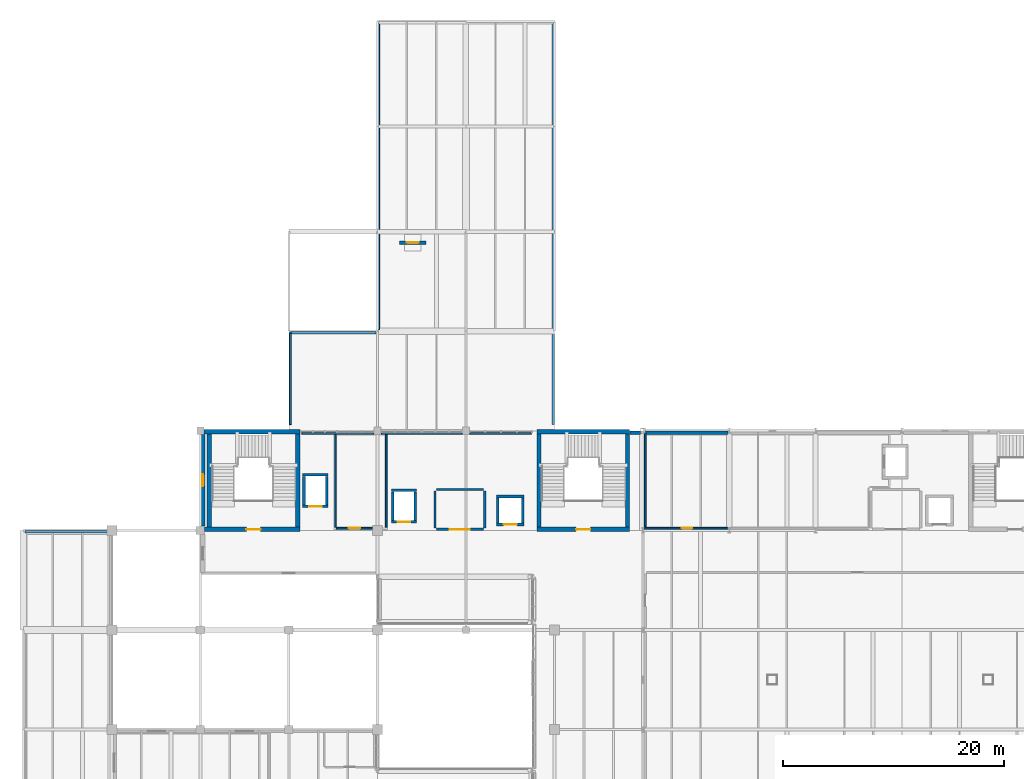
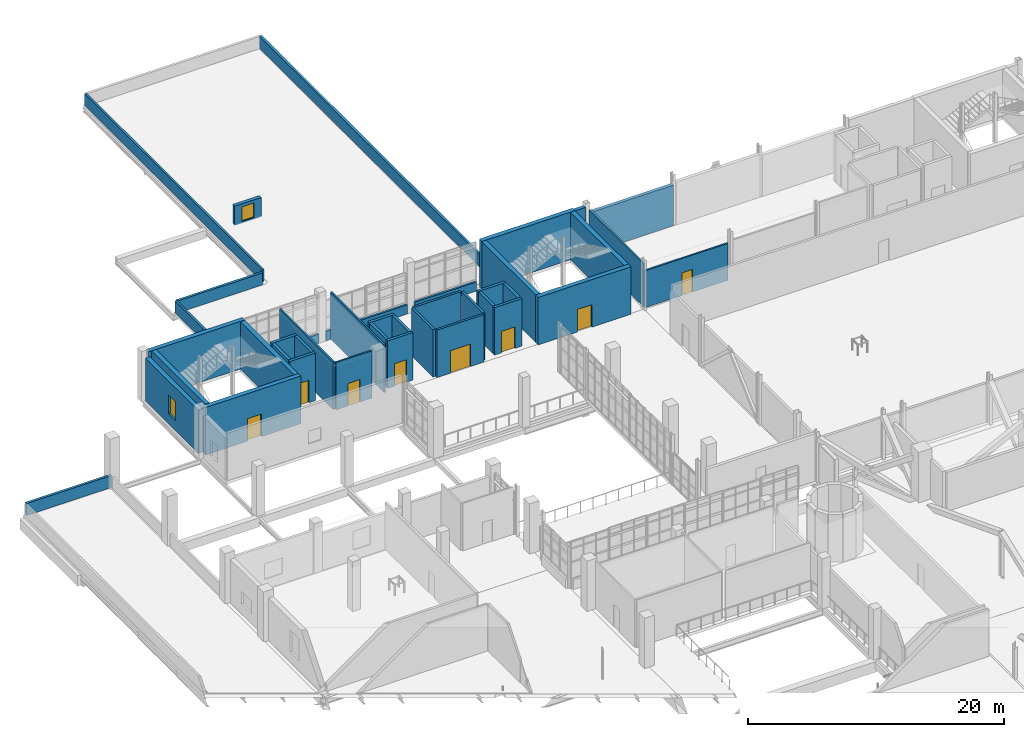
# One storey, part 115 of 127: 41 walls, 9 doors, 1 window, 10 openings.
"""IFC4 building model written with IfcOpenShell, lengths in metres."""

from ifc_helpers import new_model, si_unit, derived_unit, direction, frame, frame_2d, origin, place, context, subcontext, project, spatial, rectangle, extrude, material, layer, layer_set, type_object, element, fill, save


model = new_model("IFC4")

# Units and contexts
model_context = context("Model", 3, precision=1e-05, world=origin(), true_north=direction((0.0, 1.0)))
body_context = subcontext(model_context, "Body", "Model", "MODEL_VIEW")
ifc_project = project(units=[si_unit("LENGTHUNIT", "METRE"), si_unit("AREAUNIT", "SQUARE_METRE"), si_unit("VOLUMEUNIT", "CUBIC_METRE"), si_unit("PLANEANGLEUNIT", "RADIAN"), si_unit("MASSUNIT", "GRAM", prefix="KILO"), derived_unit("THERMALTRANSMITTANCEUNIT", [(si_unit("POWERUNIT", "WATT"), 1), (si_unit("LENGTHUNIT", "METRE"), -2), (si_unit("THERMODYNAMICTEMPERATUREUNIT", "KELVIN"), -1)])], contexts=[model_context])

# Site, building, storey
site_placement = place(None, origin())
site = spatial("IfcSite", under=ifc_project, at=site_placement, CompositionType="ELEMENT")
building_placement = place(site_placement, origin())
building = spatial("IfcBuilding", under=site, at=building_placement, Name="Nallur Shell Playhouse", CompositionType="ELEMENT")
storey_placement = place(building_placement, frame((0.0, 0.0, 5.39990234375)))
storey = spatial("IfcBuildingStorey", under=building, at=storey_placement, Name="L02", CompositionType="ELEMENT", Elevation=5.39990234375)

# Wall, opening, door
ifc_material_1 = material(Name="Concrete M45", Category="concrete")
ifc_layer_1 = layer(ifc_material_1, 0.39990234375)
ifc_layer_set_1 = layer_set([ifc_layer_1], Name="Concrete M45")
wall_type_1 = type_object("IfcWallType", Name="WL-CORE-400", PredefinedType="SHEAR", material=ifc_layer_set_1)
wall_1_placement = place(storey_placement, frame((54.39990234375, 74.10009765625, 0.0), z_axis=(0.0, 0.0, 1.0), x_axis=(1.0, 0.0, 0.0)))
wall_1 = element("IfcWall", 1, at=wall_1_placement, inside=storey, type_object=wall_type_1, Name="Joint Core JC-3 shear wall S (L02)", PredefinedType="SHEAR", context=body_context, shape_type="SweptSolid", body=[
    extrude(rectangle(XDim=8.400146484375, YDim=0.39990234375, at=frame_2d((4.2001953125, 0.0))), origin(), (0.0, 0.0, 1.0), 4.5400390625),
])
opening_1_placement = place(wall_1_placement, frame((3.550048828125, 0.0, 0.0)))
opening_1 = element("IfcOpeningElement", 2, at=opening_1_placement, cuts=wall_1, Name="Opening FD-ST1", PredefinedType="OPENING", context=body_context, shape_type="SweptSolid", body=[
    extrude(rectangle(XDim=1.300048828125, YDim=2.14990234375, at=frame_2d((0.64990234375, 1.074951171875))), frame((0.0, 0.2099609375, 0.0), z_axis=(0.0, -1.0, 0.0), x_axis=(1.0, 0.0, 0.0)), (0.0, 0.0, 1.0), 0.419921875),
])
ifc_material_2 = material(Name="Galvanised Steel Fire-Rated Stair Door", Category="steel")
door_type_1 = type_object("IfcDoorType", Name="DR-INT-STAIR-L", OperationType="SINGLE_SWING_LEFT", PredefinedType="DOOR", material=ifc_material_2)
door_1_placement = place(opening_1_placement, origin())
door_1 = element("IfcDoor", 3, at=door_1_placement, inside=storey, type_object=door_type_1, Name="Exit stair ST-03 fire door (L02)", OperationType="SINGLE_SWING_LEFT", OverallHeight=2.14990234375, OverallWidth=1.300048828125, PredefinedType="DOOR", context=body_context, shape_type="SweptSolid", body=[
    extrude(rectangle(XDim=1.300048828125, YDim=2.14990234375, at=frame_2d((0.64990234375, 1.074951171875))), frame((0.0, 0.02490234375, 0.0), z_axis=(0.0, -1.0, 0.0), x_axis=(1.0, 0.0, 0.0)), (0.0, 0.0, 1.0), 0.050048828125),
])
fill(opening_1, door_1)

# Walls
wall_2_placement = place(storey_placement, frame((62.800048828125, 82.89990234375, 0.0), z_axis=(0.0, 0.0, 1.0), x_axis=(-1.0, 0.0, 0.0)))
element("IfcWall", 4, at=wall_2_placement, inside=storey, type_object=wall_type_1, Name="Joint Core JC-3 shear wall N (L02)", PredefinedType="SHEAR", context=body_context, shape_type="SweptSolid", body=[
    extrude(rectangle(XDim=8.400146484375, YDim=0.39990234375, at=frame_2d((4.2001953125, 0.0))), origin(), (0.0, 0.0, 1.0), 4.5400390625),
])
for number, where, z_axis, x_axis, name in (
    (5, (62.60009765625, 74.31005859375, 0.0), (0.0, 0.0, 1.0), (0.0, 1.0, 0.0), "Joint Core JC-3 shear wall E (L02)"),
    (6, (54.60009765625, 82.68994140625, 0.0), (0.0, 0.0, 1.0), (0.0, -1.0, 0.0), "Joint Core JC-3 shear wall W (L02)"),
):
    element("IfcWall", number, at=place(storey_placement, frame(where, z_axis=z_axis, x_axis=x_axis)), inside=storey, type_object=wall_type_1, Name=name, PredefinedType="SHEAR", context=body_context, shape_type="SweptSolid", body=[
        extrude(rectangle(XDim=8.3798828125, YDim=0.39990234375, at=frame_2d((4.18994140625, 0.0))), origin(), (0.0, 0.0, 1.0), 4.5400390625),
    ])

# Wall, opening, door
wall_3_placement = place(storey_placement, frame((24.3740234375, 74.10009765625, 0.0), z_axis=(0.0, 0.0, 1.0), x_axis=(1.0, 0.0, 0.0)))
wall_3 = element("IfcWall", 7, at=wall_3_placement, inside=storey, type_object=wall_type_1, Name="Joint Core JC-6 shear wall S (L02)", PredefinedType="SHEAR", context=body_context, shape_type="SweptSolid", body=[
    extrude(rectangle(XDim=8.6259765625, YDim=0.39990234375, at=frame_2d((4.31298828125, 0.0))), origin(), (0.0, 0.0, 1.0), 4.5400390625),
])
opening_2_placement = place(wall_3_placement, frame((3.77587890625, 0.0, 0.0)))
opening_2 = element("IfcOpeningElement", 8, at=opening_2_placement, cuts=wall_3, Name="Opening FD-ST2", PredefinedType="OPENING", context=body_context, shape_type="SweptSolid", body=[
    extrude(rectangle(XDim=1.300048828125, YDim=2.14990234375, at=frame_2d((0.64990234375, 1.074951171875))), frame((0.0, 0.2099609375, 0.0), z_axis=(0.0, -1.0, 0.0), x_axis=(1.0, 0.0, 0.0)), (0.0, 0.0, 1.0), 0.419921875),
])
door_type_2 = type_object("IfcDoorType", Name="DR-INT-STAIR-R", OperationType="SINGLE_SWING_RIGHT", PredefinedType="DOOR", material=ifc_material_2)
door_2_placement = place(opening_2_placement, origin())
door_2 = element("IfcDoor", 9, at=door_2_placement, inside=storey, type_object=door_type_2, Name="Exit stair ST-06 fire door (L02)", OperationType="SINGLE_SWING_RIGHT", OverallHeight=2.14990234375, OverallWidth=1.300048828125, PredefinedType="DOOR", context=body_context, shape_type="SweptSolid", body=[
    extrude(rectangle(XDim=1.300048828125, YDim=2.14990234375, at=frame_2d((0.64990234375, 1.074951171875))), frame((0.0, 0.02490234375, 0.0), z_axis=(0.0, -1.0, 0.0), x_axis=(1.0, 0.0, 0.0)), (0.0, 0.0, 1.0), 0.050048828125),
])
fill(opening_2, door_2)

# Walls
wall_4_placement = place(storey_placement, frame((33.0, 82.89990234375, 0.0), z_axis=(0.0, 0.0, 1.0), x_axis=(-1.0, 0.0, 0.0)))
element("IfcWall", 10, at=wall_4_placement, inside=storey, type_object=wall_type_1, Name="Joint Core JC-6 shear wall N (L02)", PredefinedType="SHEAR", context=body_context, shape_type="SweptSolid", body=[
    extrude(rectangle(XDim=8.676025390625, YDim=0.39990234375, at=frame_2d((4.337890625, 0.0))), origin(), (0.0, 0.0, 1.0), 4.5400390625),
])
for number, where, z_axis, x_axis, name in (
    (11, (32.800048828125, 74.31005859375, 0.0), (0.0, 0.0, 1.0), (0.0, 1.0, 0.0), "Joint Core JC-6 shear wall E (L02)"),
    (12, (24.800048828125, 82.68994140625, 0.0), (0.0, 0.0, 1.0), (0.0, -1.0, 0.0), "Joint Core JC-6 shear wall W (L02)"),
):
    element("IfcWall", number, at=place(storey_placement, frame(where, z_axis=z_axis, x_axis=x_axis)), inside=storey, type_object=wall_type_1, Name=name, PredefinedType="SHEAR", context=body_context, shape_type="SweptSolid", body=[
        extrude(rectangle(XDim=8.3798828125, YDim=0.39990234375, at=frame_2d((4.18994140625, 0.0))), origin(), (0.0, 0.0, 1.0), 4.5400390625),
    ])
ifc_material_3 = material(Name="Concrete M35", Category="concrete")
ifc_layer_2 = layer(ifc_material_3, 0.300048828125)
ifc_layer_set_2 = layer_set([ifc_layer_2], Name="Concrete M35")
wall_type_2 = type_object("IfcWallType", Name="WL-EXT-RC300", PredefinedType="STANDARD", material=ifc_layer_set_2)
wall_5_placement = place(storey_placement, frame((62.803955078125, 82.830078125, 0.0), z_axis=(0.0, 0.0, 1.0), x_axis=(1.0, 0.0, 0.0)))
element("IfcWall", 13, at=wall_5_placement, inside=storey, type_object=wall_type_2, Name="L02 exterior wall EW-L02-091", PredefinedType="STANDARD", context=body_context, shape_type="SweptSolid", body=[
    extrude(rectangle(XDim=0.963134765625, YDim=0.300048828125, at=frame_2d((0.4814453125, 0.0))), origin(), (0.0, 0.0, 1.0), 4.5400390625),
])
wall_6_placement = place(storey_placement, frame((64.23291015625, 82.830078125, 0.0), z_axis=(0.0, 0.0, 1.0), x_axis=(1.0, 0.0, 0.0)))
element("IfcWall", 14, at=wall_6_placement, inside=storey, type_object=wall_type_2, Name="L02 exterior wall EW-L02-092", PredefinedType="STANDARD", context=body_context, shape_type="SweptSolid", body=[
    extrude(rectangle(XDim=7.43408203125, YDim=0.300048828125, at=frame_2d((3.717041015625, 0.0))), origin(), (0.0, 0.0, 1.0), 3.875),
])

# Wall, opening, door
wall_7_placement = place(storey_placement, frame((42.0, 100.0, 0.0), z_axis=(0.0, 0.0, 1.0), x_axis=(1.0, 0.0, 0.0)))
wall_7 = element("IfcWall", 15, at=wall_7_placement, inside=storey, type_object=wall_type_2, Name="L02 roof access hatch bulkhead wall 01", PredefinedType="STANDARD", context=body_context, shape_type="SweptSolid", body=[
    extrude(rectangle(XDim=2.39990234375, YDim=0.300048828125, at=frame_2d((1.199951171875, 0.0))), origin(), (0.0, 0.0, 1.0), 1.85009765625),
])
opening_3_placement = place(wall_7_placement, frame((0.64990234375, 0.0, 0.14990234375)))
opening_3 = element("IfcOpeningElement", 16, at=opening_3_placement, cuts=wall_7, Name="Opening RH-01", PredefinedType="OPENING", context=body_context, shape_type="SweptSolid", body=[
    extrude(rectangle(XDim=1.10009765625, YDim=1.39990234375, at=frame_2d((0.550048828125, 0.699951171875))), frame((0.0, 0.16015625, 0.0), z_axis=(0.0, -1.0, 0.0), x_axis=(1.0, 0.0, 0.0)), (0.0, 0.0, 1.0), 0.320068359375),
])
ifc_material_4 = material(Name="Insulated Weatherproof Roof Access Hatch Door")
door_type_3 = type_object("IfcDoorType", Name="DR-ROOF-HATCH", OperationType="SINGLE_SWING_LEFT", PredefinedType="TRAPDOOR", material=ifc_material_4)
door_3_placement = place(opening_3_placement, origin())
door_3 = element("IfcDoor", 17, at=door_3_placement, inside=storey, type_object=door_type_3, Name="Roof access trapdoor hatch RH-01", OperationType="SINGLE_SWING_LEFT", OverallHeight=1.39990234375, OverallWidth=1.10009765625, PredefinedType="TRAPDOOR", context=body_context, shape_type="SweptSolid", body=[
    extrude(rectangle(XDim=1.10009765625, YDim=1.39990234375, at=frame_2d((0.550048828125, 0.699951171875))), frame((0.0, 0.02490234375, 0.0), z_axis=(0.0, -1.0, 0.0), x_axis=(1.0, 0.0, 0.0)), (0.0, 0.0, 1.0), 0.050048828125),
])
fill(opening_3, door_3)

# Wall, opening, window
ifc_material_5 = material(Name="Concrete M40", Category="concrete")
ifc_layer_3 = layer(ifc_material_5, 0.39990234375)
ifc_layer_set_3 = layer_set([ifc_layer_3], Name="Concrete M40")
wall_type_3 = type_object("IfcWallType", Name="WL-EXT-RC400", PredefinedType="STANDARD", material=ifc_layer_set_3)
wall_8_placement = place(storey_placement, frame((24.219970703125, 74.383056640625, 0.0), z_axis=(0.0, 0.0, 1.0), x_axis=(0.0, 1.0, 0.0)))
wall_8 = element("IfcWall", 18, at=wall_8_placement, inside=storey, type_object=wall_type_3, Name="L02 exterior wall EW-L02-090", PredefinedType="STANDARD", context=body_context, shape_type="SweptSolid", body=[
    extrude(rectangle(XDim=8.283935546875, YDim=0.39990234375, at=frame_2d((4.14208984375, 0.0))), origin(), (0.0, 0.0, 1.0), 4.0751953125),
])
opening_4_placement = place(wall_8_placement, frame((3.592041015625, 0.0, 0.949951171875)))
opening_4 = element("IfcOpeningElement", 19, at=opening_4_placement, cuts=wall_8, Name="Opening WN-07", PredefinedType="OPENING", context=body_context, shape_type="SweptSolid", body=[
    extrude(rectangle(XDim=1.10009765625, YDim=1.800048828125, at=frame_2d((0.550048828125, 0.89990234375))), frame((0.0, 0.2099609375, 0.0), z_axis=(0.0, -1.0, 0.0), x_axis=(1.0, 0.0, 0.0)), (0.0, 0.0, 1.0), 0.419921875),
])
ifc_material_6 = material(Name="Thermally Broken Aluminium Acoustic Double-Glazed Window", Category="aluminium")
window_type = type_object("IfcWindowType", Name="WN-TYPE-07", PartitioningType="SINGLE_PANEL", PredefinedType="WINDOW", material=ifc_material_6)
window_placement = place(opening_4_placement, origin())
window = element("IfcWindow", 20, at=window_placement, inside=storey, type_object=window_type, Name="L02 facade module window 039", OverallHeight=1.800048828125, OverallWidth=1.10009765625, PartitioningType="SINGLE_PANEL", PredefinedType="WINDOW", context=body_context, shape_type="SweptSolid", body=[
    extrude(rectangle(XDim=1.10009765625, YDim=1.800048828125, at=frame_2d((0.550048828125, 0.89990234375))), frame((0.0, 0.030029296875, 0.0), z_axis=(0.0, -1.0, 0.0), x_axis=(1.0, 0.0, 0.0)), (0.0, 0.0, 1.0), 0.06005859375),
])
fill(opening_4, window)

# Walls
ifc_layer_4 = layer(ifc_material_3, 0.179931640625)
ifc_layer_set_4 = layer_set([ifc_layer_4], Name="Concrete M35")
wall_type_4 = type_object("IfcWallType", Name="WL-PARAPET-180", PredefinedType="PARAPET", material=ifc_layer_set_4)
wall_9_placement = place(storey_placement, frame((33.169921875, 82.760009765625, 0.0), z_axis=(0.0, 0.0, 1.0), x_axis=(1.0, 0.0, 0.0)))
element("IfcWall", 21, at=wall_9_placement, inside=storey, type_object=wall_type_4, Name="L02 curtain-wall internal spandrel upstand 010", PredefinedType="PARAPET", context=body_context, shape_type="SweptSolid", body=[
    extrude(rectangle(XDim=6.4951171875, YDim=0.179931640625, at=frame_2d((3.24755859375, 0.0))), origin(), (0.0, 0.0, 1.0), 0.880126953125),
])
wall_10_placement = place(storey_placement, frame((40.3349609375, 82.760009765625, 0.0), z_axis=(0.0, 0.0, 1.0), x_axis=(1.0, 0.0, 0.0)))
element("IfcWall", 22, at=wall_10_placement, inside=storey, type_object=wall_type_4, Name="L02 curtain-wall internal spandrel upstand 011", PredefinedType="PARAPET", context=body_context, shape_type="SweptSolid", body=[
    extrude(rectangle(XDim=7.330078125, YDim=0.179931640625, at=frame_2d((3.6650390625, 0.0))), origin(), (0.0, 0.0, 1.0), 0.880126953125),
])
wall_11_placement = place(storey_placement, frame((48.3349609375, 82.760009765625, 0.0), z_axis=(0.0, 0.0, 1.0), x_axis=(1.0, 0.0, 0.0)))
element("IfcWall", 23, at=wall_11_placement, inside=storey, type_object=wall_type_4, Name="L02 curtain-wall internal spandrel upstand 012", PredefinedType="PARAPET", context=body_context, shape_type="SweptSolid", body=[
    extrude(rectangle(XDim=5.544921875, YDim=0.179931640625, at=frame_2d((2.7724609375, 0.0))), origin(), (0.0, 0.0, 1.0), 0.880126953125),
])
wall_12_placement = place(storey_placement, frame((32.110107421875, 83.550048828125, 0.0), z_axis=(0.0, 0.0, 1.0), x_axis=(0.0, 1.0, 0.0)))
element("IfcWall", 24, at=wall_12_placement, inside=storey, type_object=wall_type_4, Name="L02 concrete roof parapet PAR-012", PredefinedType="PARAPET", context=body_context, shape_type="SweptSolid", body=[
    extrude(rectangle(XDim=8.320068359375, YDim=0.179931640625, at=frame_2d((4.16015625, 0.0))), origin(), (0.0, 0.0, 1.0), 1.150146484375),
])
wall_13_placement = place(storey_placement, frame((40.110107421875, 92.1298828125, 0.0), z_axis=(0.0, 0.0, 1.0), x_axis=(0.0, 1.0, 0.0)))
element("IfcWall", 25, at=wall_13_placement, inside=storey, type_object=wall_type_4, Name="L02 concrete roof parapet PAR-014", PredefinedType="PARAPET", context=body_context, shape_type="SweptSolid", body=[
    extrude(rectangle(XDim=27.740234375, YDim=0.179931640625, at=frame_2d((13.8701171875, 0.0))), origin(), (0.0, 0.0, 1.0), 1.150146484375),
])
ifc_layer_5 = layer(ifc_material_3, 0.219970703125)
ifc_layer_set_5 = layer_set([ifc_layer_5], Name="Concrete M35")
wall_type_5 = type_object("IfcWallType", Name="WL-PARAPET-220", PredefinedType="PARAPET", material=ifc_layer_set_5)
wall_14_placement = place(storey_placement, frame((8.14990234375, 73.8701171875, 0.0), z_axis=(0.0, 0.0, 1.0), x_axis=(1.0, 0.0, 0.0)))
element("IfcWall", 26, at=wall_14_placement, inside=storey, type_object=wall_type_5, Name="L02 concrete roof parapet PAR-008", PredefinedType="PARAPET", context=body_context, shape_type="SweptSolid", body=[
    extrude(rectangle(XDim=7.7001953125, YDim=0.219970703125, at=frame_2d((3.85009765625, 0.0))), origin(), (0.0, 0.0, 1.0), 1.150146484375),
])
wall_15_placement = place(storey_placement, frame((55.8701171875, 119.85009765625, 0.0), z_axis=(0.0, 0.0, 1.0), x_axis=(0.0, -1.0, 0.0)))
element("IfcWall", 27, at=wall_15_placement, inside=storey, type_object=wall_type_5, Name="L02 concrete roof parapet PAR-011", PredefinedType="PARAPET", context=body_context, shape_type="SweptSolid", body=[
    extrude(rectangle(XDim=36.300048828125, YDim=0.219970703125, at=frame_2d((18.14990234375, 0.0))), origin(), (0.0, 0.0, 1.0), 1.150146484375),
])
wall_16_placement = place(storey_placement, frame((32.14990234375, 91.8701171875, 0.0), z_axis=(0.0, 0.0, 1.0), x_axis=(1.0, 0.0, 0.0)))
element("IfcWall", 28, at=wall_16_placement, inside=storey, type_object=wall_type_5, Name="L02 concrete roof parapet PAR-013", PredefinedType="PARAPET", context=body_context, shape_type="SweptSolid", body=[
    extrude(rectangle(XDim=7.7001953125, YDim=0.219970703125, at=frame_2d((3.85009765625, 0.0))), origin(), (0.0, 0.0, 1.0), 1.150146484375),
])
ifc_material_7 = material(Name="Concrete M30", Category="concrete")
ifc_layer_6 = layer(ifc_material_7, 0.199951171875)
ifc_layer_set_6 = layer_set([ifc_layer_6], Name="Concrete M30")
wall_type_6 = type_object("IfcWallType", Name="WL-PART-AC200", PredefinedType="PARTITIONING", material=ifc_layer_set_6)
wall_17_placement = place(storey_placement, frame((45.199951171875, 74.219970703125, 0.0), z_axis=(0.0, 0.0, 1.0), x_axis=(0.0, 1.0, 0.0)))
element("IfcWall", 29, at=wall_17_placement, inside=storey, type_object=wall_type_6, Name="Firefighting Lobby JC-3 partition IW-L02-0126", PredefinedType="PARTITIONING", context=body_context, shape_type="SweptSolid", body=[
    extrude(rectangle(XDim=3.360107421875, YDim=0.199951171875, at=frame_2d((1.68017578125, 0.0))), origin(), (0.0, 0.0, 1.0), 4.530029296875),
])
wall_18_placement = place(storey_placement, frame((45.320068359375, 77.699951171875, 0.0), z_axis=(0.0, 0.0, 1.0), x_axis=(1.0, 0.0, 0.0)))
element("IfcWall", 30, at=wall_18_placement, inside=storey, type_object=wall_type_6, Name="Firefighting Lobby JC-3 partition IW-L02-0127", PredefinedType="PARTITIONING", context=body_context, shape_type="SweptSolid", body=[
    extrude(rectangle(XDim=4.260009765625, YDim=0.199951171875, at=frame_2d((2.1298828125, 0.0))), origin(), (0.0, 0.0, 1.0), 4.530029296875),
])
wall_19_placement = place(storey_placement, frame((49.699951171875, 77.580078125, 0.0), z_axis=(0.0, 0.0, 1.0), x_axis=(0.0, -1.0, 0.0)))
element("IfcWall", 31, at=wall_19_placement, inside=storey, type_object=wall_type_6, Name="Firefighting Lobby JC-3 partition IW-L02-0128", PredefinedType="PARTITIONING", context=body_context, shape_type="SweptSolid", body=[
    extrude(rectangle(XDim=3.360107421875, YDim=0.199951171875, at=frame_2d((1.68017578125, 0.0))), origin(), (0.0, 0.0, 1.0), 4.530029296875),
])

# Wall, opening, door
wall_20_placement = place(storey_placement, frame((49.580078125, 74.10009765625, 0.0), z_axis=(0.0, 0.0, 1.0), x_axis=(-1.0, 0.0, 0.0)))
wall_20 = element("IfcWall", 32, at=wall_20_placement, inside=storey, type_object=wall_type_6, Name="Firefighting Lobby JC-3 partition IW-L02-0129", PredefinedType="PARTITIONING", context=body_context, shape_type="SweptSolid", body=[
    extrude(rectangle(XDim=4.260009765625, YDim=0.199951171875, at=frame_2d((2.1298828125, 0.0))), origin(), (0.0, 0.0, 1.0), 4.530029296875),
])
opening_5_placement = place(wall_20_placement, frame((1.22998046875, 0.0, 0.0)))
opening_5 = element("IfcOpeningElement", 33, at=opening_5_placement, cuts=wall_20, Name="Opening FD-FL1", PredefinedType="OPENING", context=body_context, shape_type="SweptSolid", body=[
    extrude(rectangle(XDim=1.800048828125, YDim=2.14990234375, at=frame_2d((0.89990234375, 1.074951171875))), frame((0.0, 0.10986328125, 0.0), z_axis=(0.0, -1.0, 0.0), x_axis=(1.0, 0.0, 0.0)), (0.0, 0.0, 1.0), 0.219970703125),
])
ifc_material_8 = material(Name="Firefighting Lobby Smoke-Seal Double Door")
door_type_4 = type_object("IfcDoorType", Name="DR-INT-FFL-DBL", OperationType="DOUBLE_DOOR_SINGLE_SWING", PredefinedType="DOOR", material=ifc_material_8)
door_4_placement = place(opening_5_placement, origin())
door_4 = element("IfcDoor", 34, at=door_4_placement, inside=storey, type_object=door_type_4, Name="Firefighting Lobby JC-3 smoke-seal door (L02)", OperationType="DOUBLE_DOOR_SINGLE_SWING", OverallHeight=2.14990234375, OverallWidth=1.800048828125, PredefinedType="DOOR", context=body_context, shape_type="SweptSolid", body=[
    extrude(rectangle(XDim=1.800048828125, YDim=2.14990234375, at=frame_2d((0.89990234375, 1.074951171875))), frame((0.0, 0.02490234375, 0.0), z_axis=(0.0, -1.0, 0.0), x_axis=(1.0, 0.0, 0.0)), (0.0, 0.0, 1.0), 0.050048828125),
])
fill(opening_5, door_4)

# Wall
ifc_material_9 = material(Name="Concrete M25 Fire Blockwork", Category="masonry")
ifc_layer_7 = layer(ifc_material_9, 0.14990234375)
ifc_layer_set_7 = layer_set([ifc_layer_7], Name="Concrete M25 Fire Blockwork")
wall_type_7 = type_object("IfcWallType", Name="WL-PART-FR150", PredefinedType="PARTITIONING", material=ifc_layer_set_7)
wall_21_placement = place(storey_placement, frame((40.800048828125, 82.666015625, 0.0), z_axis=(0.0, 0.0, 1.0), x_axis=(0.0, -1.0, 0.0)))
element("IfcWall", 35, at=wall_21_placement, inside=storey, type_object=wall_type_7, Name="Costume Laundry & Steam Pressing Room partition IW-L02-0169", PredefinedType="PARTITIONING", context=body_context, shape_type="SweptSolid", body=[
    extrude(rectangle(XDim=8.37109375, YDim=0.14990234375, at=frame_2d((4.185546875, 0.0))), origin(), (0.0, 0.0, 1.0), 4.530029296875),
])

# Wall, opening, door
wall_22_placement = place(storey_placement, frame((39.534912109375, 74.199951171875, 0.0), z_axis=(0.0, 0.0, 1.0), x_axis=(-1.0, 0.0, 0.0)))
wall_22 = element("IfcWall", 36, at=wall_22_placement, inside=storey, type_object=wall_type_7, Name="Costume Laundry & Steam Pressing Room partition IW-L02-0170", PredefinedType="PARTITIONING", context=body_context, shape_type="SweptSolid", body=[
    extrude(rectangle(XDim=3.239990234375, YDim=0.14990234375, at=frame_2d((1.6201171875, 0.0))), origin(), (0.0, 0.0, 1.0), 4.530029296875),
])
opening_6_placement = place(wall_22_placement, frame((1.094970703125, 0.0, 0.0)))
opening_6 = element("IfcOpeningElement", 37, at=opening_6_placement, cuts=wall_22, Name="Opening ID-02", PredefinedType="OPENING", context=body_context, shape_type="SweptSolid", body=[
    extrude(rectangle(XDim=1.050048828125, YDim=2.14990234375, at=frame_2d((0.52490234375, 1.074951171875))), frame((0.0, 0.0849609375, 0.0), z_axis=(0.0, -1.0, 0.0), x_axis=(1.0, 0.0, 0.0)), (0.0, 0.0, 1.0), 0.169921875),
])
ifc_material_10 = material(Name="Solid-Core Engineered Timber Fire Door", Category="wood")
door_type_5 = type_object("IfcDoorType", Name="DR-INT-SGL1050R", OperationType="SINGLE_SWING_RIGHT", PredefinedType="DOOR", material=ifc_material_10)
door_5_placement = place(opening_6_placement, origin())
door_5 = element("IfcDoor", 38, at=door_5_placement, inside=storey, type_object=door_type_5, Name="Costume Laundry & Steam Pressing Room door 1", OperationType="SINGLE_SWING_RIGHT", OverallHeight=2.14990234375, OverallWidth=1.050048828125, PredefinedType="DOOR", context=body_context, shape_type="SweptSolid", body=[
    extrude(rectangle(XDim=1.050048828125, YDim=2.14990234375, at=frame_2d((0.52490234375, 1.074951171875))), frame((0.0, 0.02490234375, 0.0), z_axis=(0.0, -1.0, 0.0), x_axis=(1.0, 0.0, 0.0)), (0.0, 0.0, 1.0), 0.050048828125),
])
fill(opening_6, door_5)

# Walls
wall_23_placement = place(storey_placement, frame((36.199951171875, 74.294921875, 0.0), z_axis=(0.0, 0.0, 1.0), x_axis=(0.0, 1.0, 0.0)))
element("IfcWall", 39, at=wall_23_placement, inside=storey, type_object=wall_type_7, Name="Costume Laundry & Steam Pressing Room partition IW-L02-0171", PredefinedType="PARTITIONING", context=body_context, shape_type="SweptSolid", body=[
    extrude(rectangle(XDim=8.37109375, YDim=0.14990234375, at=frame_2d((4.185546875, 0.0))), origin(), (0.0, 0.0, 1.0), 4.530029296875),
])
wall_24_placement = place(storey_placement, frame((64.199951171875, 74.294921875, 0.0), z_axis=(0.0, 0.0, 1.0), x_axis=(0.0, 1.0, 0.0)))
element("IfcWall", 40, at=wall_24_placement, inside=storey, type_object=wall_type_7, Name="Prop-Making & Sculpting Studio partition IW-L02-0172", PredefinedType="PARTITIONING", context=body_context, shape_type="SweptSolid", body=[
    extrude(rectangle(XDim=8.47607421875, YDim=0.14990234375, at=frame_2d((4.238037109375, 0.0))), origin(), (0.0, 0.0, 1.0), 4.1201171875),
])

# Wall, opening, door
wall_25_placement = place(storey_placement, frame((71.659912109375, 74.199951171875, 0.0), z_axis=(0.0, 0.0, 1.0), x_axis=(-1.0, 0.0, 0.0)))
wall_25 = element("IfcWall", 41, at=wall_25_placement, inside=storey, type_object=wall_type_7, Name="Prop-Making & Sculpting Studio partition IW-L02-0175", PredefinedType="PARTITIONING", context=body_context, shape_type="SweptSolid", body=[
    extrude(rectangle(XDim=7.531005859375, YDim=0.14990234375, at=frame_2d((3.765625, 0.0))), origin(), (0.0, 0.0, 1.0), 3.52001953125),
])
opening_7_placement = place(wall_25_placement, frame((3.20703125, 0.0, 0.0)))
opening_7 = element("IfcOpeningElement", 42, at=opening_7_placement, cuts=wall_25, Name="Opening ID-03", PredefinedType="OPENING", context=body_context, shape_type="SweptSolid", body=[
    extrude(rectangle(XDim=0.949951171875, YDim=2.14990234375, at=frame_2d((0.47509765625, 1.074951171875))), frame((0.0, 0.0849609375, 0.0), z_axis=(0.0, -1.0, 0.0), x_axis=(1.0, 0.0, 0.0)), (0.0, 0.0, 1.0), 0.169921875),
])
ifc_material_11 = material(Name="Solid-Core Engineered Timber Door", Category="wood")
door_type_6 = type_object("IfcDoorType", Name="DR-INT-SGL950L", OperationType="SINGLE_SWING_LEFT", PredefinedType="DOOR", material=ifc_material_11)
door_6_placement = place(opening_7_placement, origin())
door_6 = element("IfcDoor", 43, at=door_6_placement, inside=storey, type_object=door_type_6, Name="Prop-Making & Sculpting Studio door 1", OperationType="SINGLE_SWING_LEFT", OverallHeight=2.14990234375, OverallWidth=0.949951171875, PredefinedType="DOOR", context=body_context, shape_type="SweptSolid", body=[
    extrude(rectangle(XDim=0.949951171875, YDim=2.14990234375, at=frame_2d((0.47509765625, 1.074951171875))), frame((0.0, 0.02490234375, 0.0), z_axis=(0.0, -1.0, 0.0), x_axis=(1.0, 0.0, 0.0)), (0.0, 0.0, 1.0), 0.050048828125),
])
fill(opening_7, door_6)

ifc_layer_8 = layer(ifc_material_1, 0.25)
ifc_layer_set_8 = layer_set([ifc_layer_8], Name="Concrete M45")
wall_type_8 = type_object("IfcWallType", Name="WL-SHAFT-250", PredefinedType="STANDARD", material=ifc_layer_set_8)
wall_26_placement = place(storey_placement, frame((50.75, 74.52490234375, 0.0), z_axis=(0.0, 0.0, 1.0), x_axis=(1.0, 0.0, 0.0)))
wall_26 = element("IfcWall", 44, at=wall_26_placement, inside=storey, type_object=wall_type_8, Name="Fireman's Lift FL-1 shaft wall south (L02)", PredefinedType="STANDARD", context=body_context, shape_type="SweptSolid", body=[
    extrude(rectangle(XDim=2.5, YDim=0.25, at=frame_2d((1.25, 0.0))), origin(), (0.0, 0.0, 1.0), 4.530029296875),
])
opening_8_placement = place(wall_26_placement, frame((0.64990234375, 0.0, 0.0)))
opening_8 = element("IfcOpeningElement", 45, at=opening_8_placement, cuts=wall_26, Name="Opening LD-F1", PredefinedType="OPENING", context=body_context, shape_type="SweptSolid", body=[
    extrude(rectangle(XDim=1.199951171875, YDim=2.050048828125, at=frame_2d((0.60009765625, 1.02490234375))), frame((0.0, 0.135009765625, 0.0), z_axis=(0.0, -1.0, 0.0), x_axis=(1.0, 0.0, 0.0)), (0.0, 0.0, 1.0), 0.27001953125),
])
ifc_material_12 = material(Name="Fireman Lift Fire-Rated Sliding Landing Door")
door_type_7 = type_object("IfcDoorType", Name="DR-LIFT-FIRE", OperationType="DOUBLE_DOOR_SLIDING", PredefinedType="DOOR", material=ifc_material_12)
door_7_placement = place(opening_8_placement, origin())
door_7 = element("IfcDoor", 46, at=door_7_placement, inside=storey, type_object=door_type_7, Name="Fireman's Lift FL-1 sliding landing door (L02)", OperationType="DOUBLE_DOOR_SLIDING", OverallHeight=2.050048828125, OverallWidth=1.199951171875, PredefinedType="DOOR", context=body_context, shape_type="SweptSolid", body=[
    extrude(rectangle(XDim=1.199951171875, YDim=2.050048828125, at=frame_2d((0.60009765625, 1.02490234375))), frame((0.0, 0.02490234375, 0.0), z_axis=(0.0, -1.0, 0.0), x_axis=(1.0, 0.0, 0.0)), (0.0, 0.0, 1.0), 0.050048828125),
])
fill(opening_8, door_7)

# Walls
wall_27_placement = place(storey_placement, frame((53.25, 77.074951171875, 0.0), z_axis=(0.0, 0.0, 1.0), x_axis=(-1.0, 0.0, 0.0)))
element("IfcWall", 47, at=wall_27_placement, inside=storey, type_object=wall_type_8, Name="Fireman's Lift FL-1 shaft wall north (L02)", PredefinedType="STANDARD", context=body_context, shape_type="SweptSolid", body=[
    extrude(rectangle(XDim=2.5, YDim=0.25, at=frame_2d((1.25, 0.0))), origin(), (0.0, 0.0, 1.0), 4.530029296875),
])
for number, where, z_axis, x_axis, name in (
    (48, (53.125, 74.659912109375, 0.0), (0.0, 0.0, 1.0), (0.0, 1.0, 0.0), "Fireman's Lift FL-1 shaft wall east (L02)"),
    (49, (50.875, 76.93994140625, 0.0), (0.0, 0.0, 1.0), (0.0, -1.0, 0.0), "Fireman's Lift FL-1 shaft wall west (L02)"),
):
    element("IfcWall", number, at=place(storey_placement, frame(where, z_axis=z_axis, x_axis=x_axis)), inside=storey, type_object=wall_type_8, Name=name, PredefinedType="STANDARD", context=body_context, shape_type="SweptSolid", body=[
        extrude(rectangle(XDim=2.280029296875, YDim=0.25, at=frame_2d((1.14013671875, 0.0))), origin(), (0.0, 0.0, 1.0), 4.530029296875),
    ])

# Wall, opening, door
wall_28_placement = place(storey_placement, frame((41.25, 74.77490234375, 0.0), z_axis=(0.0, 0.0, 1.0), x_axis=(1.0, 0.0, 0.0)))
wall_28 = element("IfcWall", 50, at=wall_28_placement, inside=storey, type_object=wall_type_8, Name="Passenger Lift PL-3 shaft wall south (L02)", PredefinedType="STANDARD", context=body_context, shape_type="SweptSolid", body=[
    extrude(rectangle(XDim=2.300048828125, YDim=0.25, at=frame_2d((1.14990234375, 0.0))), origin(), (0.0, 0.0, 1.0), 4.530029296875),
])
opening_9_placement = place(wall_28_placement, frame((0.60009765625, 0.0, 0.0)))
opening_9 = element("IfcOpeningElement", 51, at=opening_9_placement, cuts=wall_28, Name="Opening LD-P1", PredefinedType="OPENING", context=body_context, shape_type="SweptSolid", body=[
    extrude(rectangle(XDim=1.10009765625, YDim=2.14990234375, at=frame_2d((0.550048828125, 1.074951171875))), frame((0.0, 0.135009765625, 0.0), z_axis=(0.0, -1.0, 0.0), x_axis=(1.0, 0.0, 0.0)), (0.0, 0.0, 1.0), 0.27001953125),
])
ifc_material_13 = material(Name="Brushed Stainless Steel Lift Landing Door", Category="steel")
door_type_8 = type_object("IfcDoorType", Name="DR-LIFT-PASS", OperationType="DOUBLE_DOOR_SLIDING", PredefinedType="DOOR", material=ifc_material_13)
door_8_placement = place(opening_9_placement, origin())
door_8 = element("IfcDoor", 52, at=door_8_placement, inside=storey, type_object=door_type_8, Name="Passenger Lift PL-3 sliding landing door (L02)", OperationType="DOUBLE_DOOR_SLIDING", OverallHeight=2.14990234375, OverallWidth=1.10009765625, PredefinedType="DOOR", context=body_context, shape_type="SweptSolid", body=[
    extrude(rectangle(XDim=1.10009765625, YDim=2.14990234375, at=frame_2d((0.550048828125, 1.074951171875))), frame((0.0, 0.02490234375, 0.0), z_axis=(0.0, -1.0, 0.0), x_axis=(1.0, 0.0, 0.0)), (0.0, 0.0, 1.0), 0.050048828125),
])
fill(opening_9, door_8)

# Walls
wall_29_placement = place(storey_placement, frame((43.550048828125, 77.625, 0.0), z_axis=(0.0, 0.0, 1.0), x_axis=(-1.0, 0.0, 0.0)))
element("IfcWall", 53, at=wall_29_placement, inside=storey, type_object=wall_type_8, Name="Passenger Lift PL-3 shaft wall north (L02)", PredefinedType="STANDARD", context=body_context, shape_type="SweptSolid", body=[
    extrude(rectangle(XDim=2.300048828125, YDim=0.25, at=frame_2d((1.14990234375, 0.0))), origin(), (0.0, 0.0, 1.0), 4.530029296875),
])
for number, where, z_axis, x_axis, name in (
    (54, (43.425048828125, 74.909912109375, 0.0), (0.0, 0.0, 1.0), (0.0, 1.0, 0.0), "Passenger Lift PL-3 shaft wall east (L02)"),
    (55, (41.375, 77.489990234375, 0.0), (0.0, 0.0, 1.0), (0.0, -1.0, 0.0), "Passenger Lift PL-3 shaft wall west (L02)"),
):
    element("IfcWall", number, at=place(storey_placement, frame(where, z_axis=z_axis, x_axis=x_axis)), inside=storey, type_object=wall_type_8, Name=name, PredefinedType="STANDARD", context=body_context, shape_type="SweptSolid", body=[
        extrude(rectangle(XDim=2.580078125, YDim=0.25, at=frame_2d((1.2900390625, 0.0))), origin(), (0.0, 0.0, 1.0), 4.530029296875),
    ])

# Wall, opening, door
wall_30_placement = place(storey_placement, frame((33.25, 76.175048828125, 0.0), z_axis=(0.0, 0.0, 1.0), x_axis=(1.0, 0.0, 0.0)))
wall_30 = element("IfcWall", 56, at=wall_30_placement, inside=storey, type_object=wall_type_8, Name="Production Passenger Lift PL-6 shaft wall south (L02)", PredefinedType="STANDARD", context=body_context, shape_type="SweptSolid", body=[
    extrude(rectangle(XDim=2.300048828125, YDim=0.25, at=frame_2d((1.14990234375, 0.0))), origin(), (0.0, 0.0, 1.0), 4.530029296875),
])
opening_10_placement = place(wall_30_placement, frame((0.60009765625, 0.0, 0.0)))
opening_10 = element("IfcOpeningElement", 57, at=opening_10_placement, cuts=wall_30, Name="Opening LD-P1", PredefinedType="OPENING", context=body_context, shape_type="SweptSolid", body=[
    extrude(rectangle(XDim=1.10009765625, YDim=2.14990234375, at=frame_2d((0.550048828125, 1.074951171875))), frame((0.0, 0.135009765625, 0.0), z_axis=(0.0, -1.0, 0.0), x_axis=(1.0, 0.0, 0.0)), (0.0, 0.0, 1.0), 0.27001953125),
])
door_9_placement = place(opening_10_placement, origin())
door_9 = element("IfcDoor", 58, at=door_9_placement, inside=storey, type_object=door_type_8, Name="Production Passenger Lift PL-6 sliding landing door (L02)", OperationType="DOUBLE_DOOR_SLIDING", OverallHeight=2.14990234375, OverallWidth=1.10009765625, PredefinedType="DOOR", context=body_context, shape_type="SweptSolid", body=[
    extrude(rectangle(XDim=1.10009765625, YDim=2.14990234375, at=frame_2d((0.550048828125, 1.074951171875))), frame((0.0, 0.02490234375, 0.0), z_axis=(0.0, -1.0, 0.0), x_axis=(1.0, 0.0, 0.0)), (0.0, 0.0, 1.0), 0.050048828125),
])
fill(opening_10, door_9)

# Walls
wall_31_placement = place(storey_placement, frame((35.550048828125, 79.02490234375, 0.0), z_axis=(0.0, 0.0, 1.0), x_axis=(-1.0, 0.0, 0.0)))
element("IfcWall", 59, at=wall_31_placement, inside=storey, type_object=wall_type_8, Name="Production Passenger Lift PL-6 shaft wall north (L02)", PredefinedType="STANDARD", context=body_context, shape_type="SweptSolid", body=[
    extrude(rectangle(XDim=2.300048828125, YDim=0.25, at=frame_2d((1.14990234375, 0.0))), origin(), (0.0, 0.0, 1.0), 4.530029296875),
])
for number, where, z_axis, x_axis, name in (
    (60, (35.425048828125, 76.31005859375, 0.0), (0.0, 0.0, 1.0), (0.0, 1.0, 0.0), "Production Passenger Lift PL-6 shaft wall east (L02)"),
    (61, (33.375, 78.889892578125, 0.0), (0.0, 0.0, 1.0), (0.0, -1.0, 0.0), "Production Passenger Lift PL-6 shaft wall west (L02)"),
):
    element("IfcWall", number, at=place(storey_placement, frame(where, z_axis=z_axis, x_axis=x_axis)), inside=storey, type_object=wall_type_8, Name=name, PredefinedType="STANDARD", context=body_context, shape_type="SweptSolid", body=[
        extrude(rectangle(XDim=2.579833984375, YDim=0.25, at=frame_2d((1.2900390625, 0.0))), origin(), (0.0, 0.0, 1.0), 4.530029296875),
    ])

save(model, "model.ifc")
